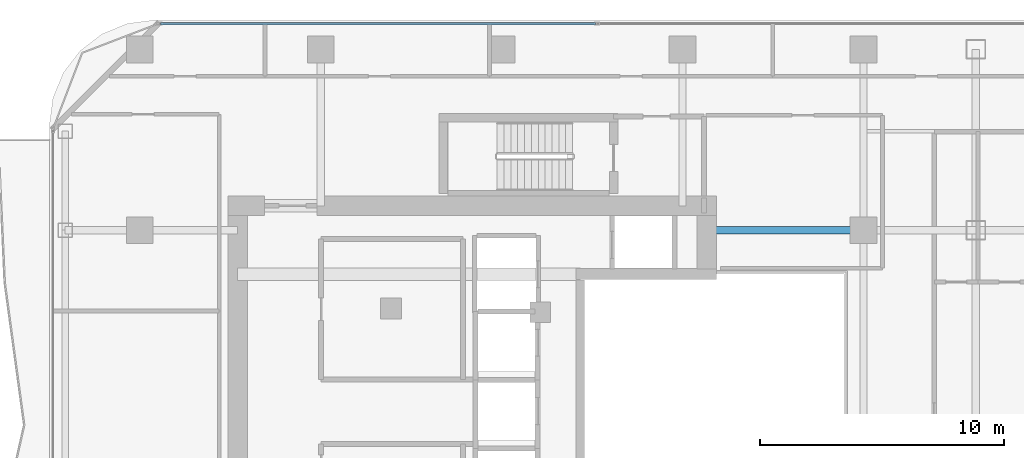
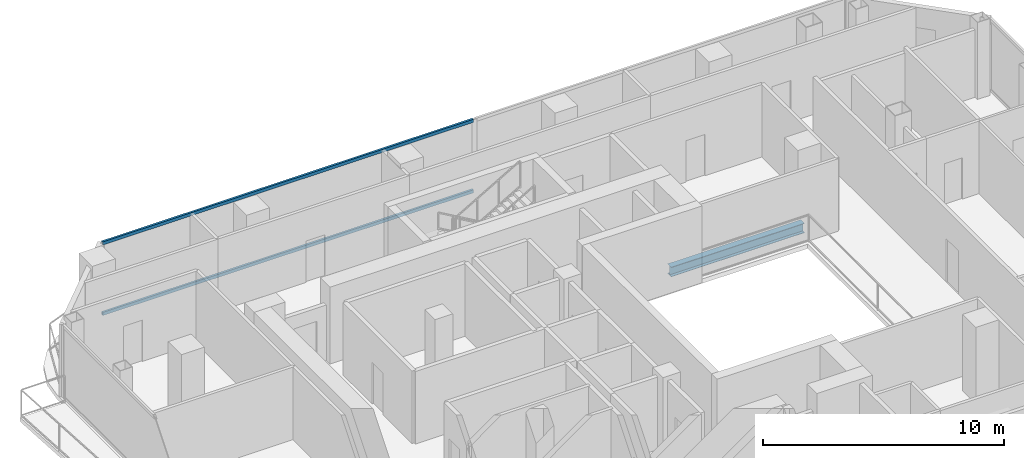
# One storey, part 15 of 26: 2 members, 1 beam, 1 element without a shape of its own.
"""IFC4 building model written with IfcOpenShell, lengths in metres."""

from ifc_helpers import new_model, si_unit, direction, frame, origin, origin_2d, place, context, subcontext, project, spatial, hollow_rectangle, i_section, extrude, material, layer, layer_set, material_profile, profile_set, type_object, element, aggregate, save


model = new_model("IFC4")

# Units and contexts
model_context = context("Model", 3, precision=1e-05, world=origin(), true_north=direction((0.0, 1.0)))
body_context = subcontext(model_context, "Body", "Model", "MODEL_VIEW")
ifc_project = project(units=[si_unit("LENGTHUNIT", "METRE"), si_unit("AREAUNIT", "SQUARE_METRE"), si_unit("VOLUMEUNIT", "CUBIC_METRE"), si_unit("PLANEANGLEUNIT", "RADIAN"), si_unit("MASSUNIT", "GRAM", prefix="KILO")], contexts=[model_context])

# Site, building, storey
site_placement = place(None, origin())
site = spatial("IfcSite", under=ifc_project, at=site_placement, CompositionType="ELEMENT")
building_placement = place(site_placement, origin())
building = spatial("IfcBuilding", under=site, at=building_placement, Name="Khorvyn Point Tower", CompositionType="ELEMENT")
storey_placement = place(building_placement, frame((0.0, 0.0, 223.5)))
storey = spatial("IfcBuildingStorey", under=building, at=storey_placement, Name="L55", CompositionType="ELEMENT", Elevation=223.5)

# Curtain wall, members
ifc_material_1 = material(Name="Anodised aluminium 6063-T6 and laminated Low-E glass", Category="aluminium")
ifc_layer = layer(ifc_material_1, 0.18994140625)
ifc_layer_set = layer_set([ifc_layer], Name="Stick-Built Acoustic Curtain Wall CW-SYS-03")
curtain_wall_type = type_object("IfcCurtainWallType", Name="Stick-Built Acoustic Curtain Wall CW-SYS-03", PredefinedType="NOTDEFINED", material=ifc_layer_set)
curtain_wall_placement = place(storey_placement, origin())
curtain_wall = element("IfcCurtainWall", 1, at=curtain_wall_placement, inside=storey, type_object=curtain_wall_type, Name="Curtain Wall", PredefinedType="NOTDEFINED")
ifc_material_2 = material(Name="Anodised aluminium 6063-T6", Category="aluminium")
ifc_material_profile_1 = material_profile(ifc_material_2, hollow_rectangle(XDim=0.10009765625, YDim=0.159912109375, WallThickness=0.00439453125, at=origin_2d()))
ifc_profile_set_1 = profile_set([ifc_material_profile_1], Name="Anodised aluminium 6063-T6 ALU-TRN-100x160")
member_type = type_object("IfcMemberType", Name="Anodised Aluminium 6063-T6 Transom ALU-TRN-100x160", PredefinedType="USERDEFINED", material=ifc_profile_set_1)
member_1_placement = place(storey_placement, frame((-13.949951171875, 15.85009765625, 0.050048828125), z_axis=(1.0, 0.0, 0.0), x_axis=(0.0, 1.0, 0.0)))
member_1 = element("IfcMember", 2, at=member_1_placement, type_object=member_type, Name="Transom", ObjectType="TRANSOM", PredefinedType="USERDEFINED", context=body_context, shape_type="SweptSolid", body=[
    extrude(hollow_rectangle(XDim=0.10009765625, YDim=0.159912109375, WallThickness=0.00439453125, at=origin_2d()), origin(), (0.0, 0.0, 1.0), 17.800048828125),
])
member_2_placement = place(storey_placement, frame((-13.949951171875, 15.85009765625, 3.6298828125), z_axis=(1.0, 0.0, 0.0), x_axis=(0.0, 1.0, 0.0)))
member_2 = element("IfcMember", 3, at=member_2_placement, type_object=member_type, Name="Transom", ObjectType="TRANSOM", PredefinedType="USERDEFINED", context=body_context, shape_type="SweptSolid", body=[
    extrude(hollow_rectangle(XDim=0.10009765625, YDim=0.159912109375, WallThickness=0.00439453125, at=origin_2d()), origin(), (0.0, 0.0, 1.0), 17.800048828125),
])
aggregate(curtain_wall, [member_1, member_2])

# Beam
ifc_material_3 = material(Name="Steel S355", Category="steel")
ifc_material_profile_2 = material_profile(ifc_material_3, i_section(OverallWidth=0.300048828125, OverallDepth=0.488037109375, WebThickness=0.010986328125, FlangeThickness=0.01806640625, at=origin_2d()))
ifc_profile_set_2 = profile_set([ifc_material_profile_2], Name="Steel S355 H488x300x11x18")
beam_type = type_object("IfcBeamType", Name="Steel S355 Spandrel H488x300x11x18", PredefinedType="SPANDREL", material=ifc_profile_set_2)
beam_placement = place(storey_placement, frame((8.39990234375, 7.39990234375, -0.464111328125), z_axis=(1.0, 0.0, 0.0), x_axis=(0.0, 1.0, 0.0)))
element("IfcBeam", 4, at=beam_placement, inside=storey, type_object=beam_type, Name="Beam", PredefinedType="SPANDREL", context=body_context, shape_type="SweptSolid", body=[
    extrude(i_section(OverallWidth=0.300048828125, OverallDepth=0.488037109375, WebThickness=0.010986328125, FlangeThickness=0.01806640625, at=origin_2d()), origin(), (0.0, 0.0, 1.0), 6.400146484375),
])

save(model, "model.ifc")
